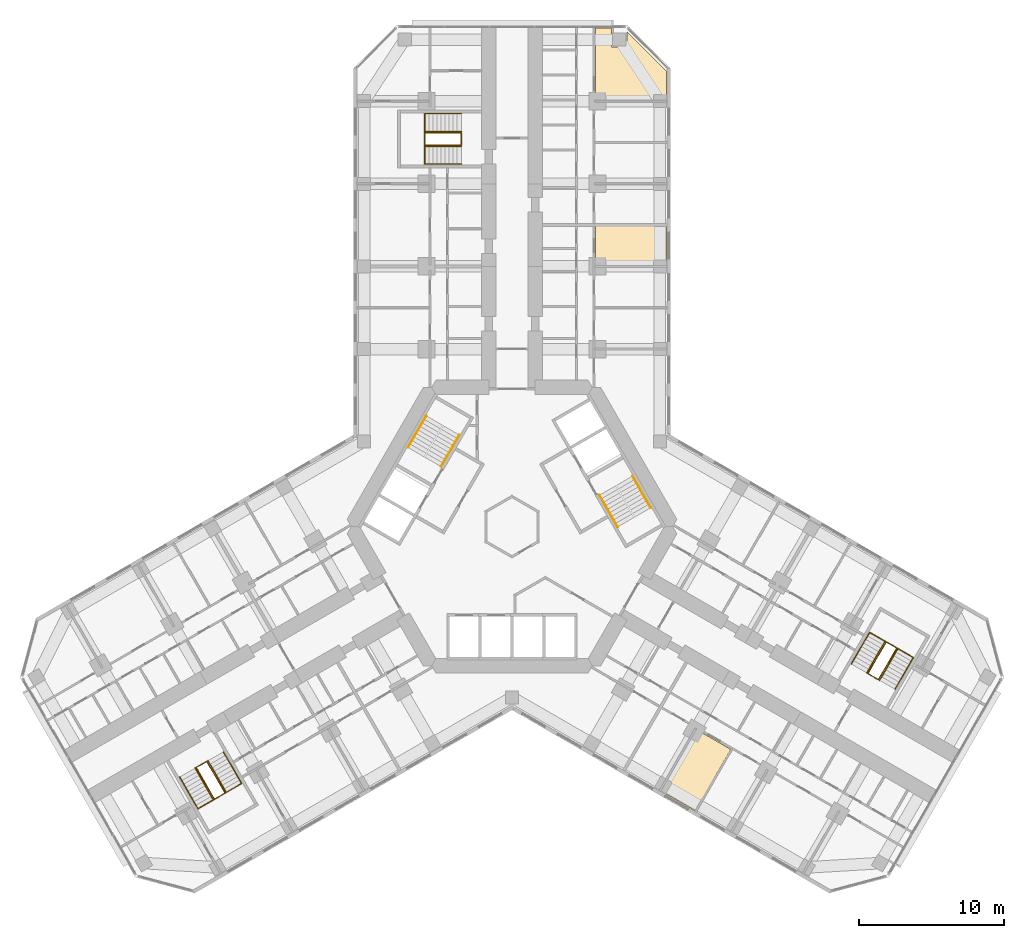
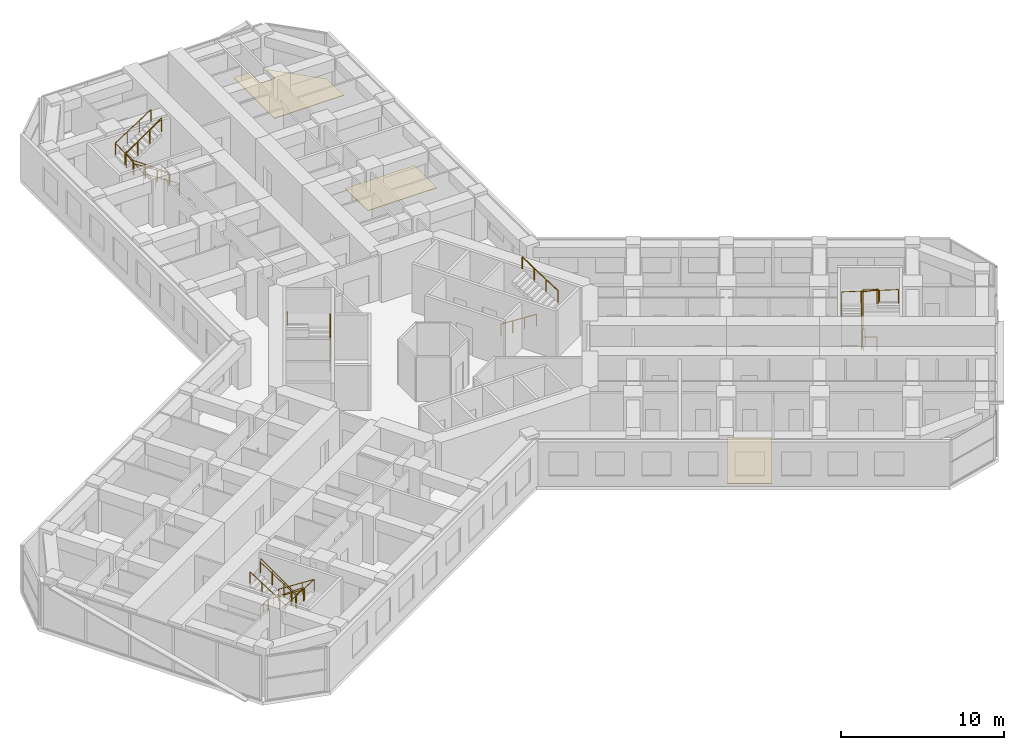
# One storey, part 21 of 21: 13 railings, 3 coverings.
"""IFC4 building model written with IfcOpenShell, lengths in metres."""

import ifcopenshell
import ifcopenshell.guid

model = None  # the IFC model being written
_history = None  # IfcOwnerHistory: only IFC2X3 demands one
_inside = {}  # id of a spatial element -> (the spatial element, [elements in it])
_under = {}  # id of a project, library or spatial element -> (it, [spatial elements below it])
_declared = {}  # id of a project -> (the project, [libraries it declares])
_typed = {}  # id of a type object -> (the type object, [elements of that type])
_made_of = {}  # id of a material, layer set ... -> (it, [elements and type objects made of it])


def new_model(schema):
    """Start an empty IFC model of exactly this schema.

    Asked for "IFC4X3", IfcOpenShell would pick the latest addendum, in which some entities
    have other attributes; the version numbers below select the first issue.
    IFC2X3 requires an IfcOwnerHistory on every rooted entity: one is made here for all.
    """
    global model, _history
    if schema == "IFC4X3":
        model = ifcopenshell.file(schema_version=(4, 3, 0, 0))
    else:
        model = ifcopenshell.file(schema=schema)
    _inside.clear()
    _under.clear()
    _declared.clear()
    _typed.clear()
    _made_of.clear()
    _history = None
    if model.schema == "IFC2X3":
        org = make("IfcOrganization", Name="unknown")
        user = make(
            "IfcPersonAndOrganization",
            ThePerson=make("IfcPerson", FamilyName="unknown"),
            TheOrganization=org,
        )
        app = make(
            "IfcApplication",
            ApplicationDeveloper=org,
            Version="unknown",
            ApplicationFullName="unknown",
            ApplicationIdentifier="unknown",
        )
        _history = make(
            "IfcOwnerHistory",
            OwningUser=user,
            OwningApplication=app,
            ChangeAction="ADDED",
            CreationDate=0,
        )
    return model


def make(cls, **values):
    """One entity of the class cls with the attributes given. An attribute that is None is left unset."""
    return model.create_entity(
        cls, **{name: value for name, value in values.items() if value is not None}
    )


def rooted(cls, **values):
    """An entity with a GlobalId (a new one), such as an element, a storey or a relation."""
    return make(cls, GlobalId=ifcopenshell.guid.new(), OwnerHistory=_history, **values)


def si_unit(unit_type, name, prefix=None):
    """IfcSIUnit, for example si_unit("LENGTHUNIT", "METRE", prefix="MILLI")."""
    return make("IfcSIUnit", UnitType=unit_type, Prefix=prefix, Name=name)


def assignment(units):
    """IfcUnitAssignment: the units of a project."""
    return None if units is None else make("IfcUnitAssignment", Units=units)


def point(xyz):
    """IfcCartesianPoint."""
    return None if xyz is None else make("IfcCartesianPoint", Coordinates=xyz)


def direction(xyz):
    """IfcDirection."""
    return None if xyz is None else make("IfcDirection", DirectionRatios=xyz)


def frame(location, z_axis=None, x_axis=None):
    """IfcAxis2Placement3D, a coordinate frame: its origin and axes. An axis left out is left unset."""
    return make(
        "IfcAxis2Placement3D",
        Location=point(location),
        Axis=direction(z_axis),
        RefDirection=direction(x_axis),
    )


def frame_2d(location, x_axis=None):
    """IfcAxis2Placement2D, a coordinate frame in the plane: its origin and x axis."""
    return make(
        "IfcAxis2Placement2D", Location=point(location), RefDirection=direction(x_axis)
    )


def origin():
    """The frame at (0, 0, 0) with its axes left unset."""
    return frame((0.0, 0.0, 0.0))


def origin_2d():
    """The frame at (0, 0) in the plane with its x axis left unset."""
    return frame_2d((0.0, 0.0))


def place(relative_to, where):
    """IfcLocalPlacement: puts the frame where relative to a parent placement (None: the world)."""
    return make(
        "IfcLocalPlacement", PlacementRelTo=relative_to, RelativePlacement=where
    )


def context(
    kind, dimensions, precision=None, world=None, true_north=None, identifier=None
):
    """IfcGeometricRepresentationContext, for example the 3D "Model" context."""
    return make(
        "IfcGeometricRepresentationContext",
        ContextIdentifier=identifier,
        ContextType=kind,
        CoordinateSpaceDimension=dimensions,
        Precision=precision,
        WorldCoordinateSystem=world,
        TrueNorth=true_north,
    )


def subcontext(parent, identifier, kind, view, scale=None):
    """IfcGeometricRepresentationSubContext, for example "Body" below "Model"."""
    return make(
        "IfcGeometricRepresentationSubContext",
        ContextIdentifier=identifier,
        ContextType=kind,
        ParentContext=parent,
        TargetScale=scale,
        TargetView=view,
    )


def project(units=None, contexts=None):
    """IfcProject with its units and contexts."""
    return rooted(
        "IfcProject",
        Name="project",
        RepresentationContexts=contexts,
        UnitsInContext=assignment(units),
    )


def spatial(cls, under=None, at=None, **own):
    """A site, building, storey or space (cls), placed at a placement, below another one or the project."""
    s = rooted(cls, ObjectPlacement=at, **own)
    if under is not None:
        _under.setdefault(under.id(), (under, []))[1].append(s)
    return s


def polyline(points):
    """IfcPolyline through the points."""
    return make("IfcPolyline", Points=[point(p) for p in points])


def profile(cls, at=None, kind="AREA", **sizes):
    """A parametric profile (cls). Its sizes go by their IFC names, for example OverallWidth=200.0."""
    return make(cls, ProfileType=kind, Position=at, **sizes)


def circle(**sizes):
    """IfcCircleProfileDef."""
    return profile("IfcCircleProfileDef", **sizes)


def outline(outer, holes=None, kind="AREA"):
    """IfcArbitraryClosedProfileDef: a profile drawn as a closed curve; with holes, ...WithVoids."""
    if holes is None:
        return make("IfcArbitraryClosedProfileDef", ProfileType=kind, OuterCurve=outer)
    return make(
        "IfcArbitraryProfileDefWithVoids",
        ProfileType=kind,
        OuterCurve=outer,
        InnerCurves=holes,
    )


def extrude(swept, where, along, depth):
    """IfcExtrudedAreaSolid: the profile swept, set in the frame where, extruded along a direction by depth."""
    return make(
        "IfcExtrudedAreaSolid",
        SweptArea=swept,
        Position=where,
        ExtrudedDirection=direction(along),
        Depth=depth,
    )


def shape(context_of_items, identifier, shape_type, items):
    """IfcShapeRepresentation: the items that make up one representation, for example the "Body"."""
    return make(
        "IfcShapeRepresentation",
        ContextOfItems=context_of_items,
        RepresentationIdentifier=identifier,
        RepresentationType=shape_type,
        Items=items,
    )


def material(Name=None, Category=None):
    """IfcMaterial."""
    return make("IfcMaterial", Name=Name, Category=Category)


def layer(
    of_material, thickness, ventilated=None, Name=None, Category=None, Priority=None
):
    """IfcMaterialLayer: one layer of a wall or slab, of a material (None: an air gap)."""
    return make(
        "IfcMaterialLayer",
        Material=of_material,
        LayerThickness=thickness,
        IsVentilated=ventilated,
        Name=Name,
        Category=Category,
        Priority=Priority,
    )


def layer_set(layers, Name=None):
    """IfcMaterialLayerSet."""
    return make("IfcMaterialLayerSet", MaterialLayers=layers, LayerSetName=Name)


def made_of(thing, what):
    """Note that an element or type object is made of a material, layer set ...; save() writes the relation."""
    if what is not None:
        _made_of.setdefault(what.id(), (what, []))[1].append(thing)
    return thing


def type_object(cls, material=None, **own):
    """A type object (cls), such as IfcWallType, which elements share."""
    return made_of(rooted(cls, **own), material)


def element(
    cls,
    number,
    at=None,
    inside=None,
    cuts=None,
    type_object=None,
    material=None,
    context=None,
    identifier="Body",
    shape_type=None,
    held_by="IfcProductDefinitionShape",
    body=None,
    shapes=None,
    **own,
):
    """One element of the class cls, such as IfcWall. Its Tag is "e" and its number.

    at: its placement. inside: the storey or other place that contains it. cuts: it is an
    opening in that element (IfcRelVoidsElement). A single representation is given by context,
    identifier, shape_type and body (its items); several are given by shapes. held_by: the class
    of the entity that holds the representations. save() writes the other relations.
    """
    e = rooted(cls, Tag="e%d" % number, ObjectPlacement=at, **own)
    if body is not None:
        shapes = [shape(context, identifier, shape_type, body)]
    if shapes is not None:
        e.Representation = make(held_by, Representations=shapes)
    if inside is not None:
        _inside.setdefault(inside.id(), (inside, []))[1].append(e)
    if cuts is not None:
        rooted(
            "IfcRelVoidsElement", RelatingBuildingElement=cuts, RelatedOpeningElement=e
        )
    if type_object is not None:
        _typed.setdefault(type_object.id(), (type_object, []))[1].append(e)
    return made_of(e, material)


def aggregate(whole, parts):
    """IfcRelAggregates: a whole, such as a stair, and the parts it consists of."""
    return rooted("IfcRelAggregates", RelatingObject=whole, RelatedObjects=parts)


def save(model, path):
    """Write the relations noted so far, then the file.

    IfcRelAggregates (storeys below a building ...), IfcRelContainedInSpatialStructure (elements
    in a storey), IfcRelDefinesByType, IfcRelAssociatesMaterial and IfcRelDeclares: one each for
    every whole, place, type object, material and project.
    """
    for whole, parts in _under.values():
        aggregate(whole, parts)
    for where, things in _inside.values():
        rooted(
            "IfcRelContainedInSpatialStructure",
            RelatedElements=things,
            RelatingStructure=where,
        )
    for kind, things in _typed.values():
        rooted("IfcRelDefinesByType", RelatedObjects=things, RelatingType=kind)
    for what, things in _made_of.values():
        rooted("IfcRelAssociatesMaterial", RelatedObjects=things, RelatingMaterial=what)
    for by, libraries in _declared.values():
        rooted("IfcRelDeclares", RelatingContext=by, RelatedDefinitions=libraries)
    model.write(path)


model = new_model("IFC4")

# Units and contexts
model_context = context("Model", 3, precision=1e-05, world=origin(), true_north=direction((0.0, 1.0)))
body_context = subcontext(model_context, "Body", "Model", "MODEL_VIEW")
ifc_project = project(units=[si_unit("LENGTHUNIT", "METRE"), si_unit("AREAUNIT", "SQUARE_METRE"), si_unit("VOLUMEUNIT", "CUBIC_METRE"), si_unit("PLANEANGLEUNIT", "RADIAN"), si_unit("MASSUNIT", "GRAM", prefix="KILO")], contexts=[model_context])

# Site, building, storey
site_placement = place(None, origin())
site = spatial("IfcSite", under=ifc_project, at=site_placement, CompositionType="ELEMENT")
building_placement = place(site_placement, origin())
building = spatial("IfcBuilding", under=site, at=building_placement, Name="Kosmar Iwan School Tower", CompositionType="ELEMENT")
storey_placement = place(building_placement, frame((0.0, 0.0, 80.800048828125)))
storey = spatial("IfcBuildingStorey", under=building, at=storey_placement, Name="L19", CompositionType="ELEMENT", Elevation=80.800048828125)

# Railings
ifc_material_1 = material(Name="Black steel", Category="steel")
railing_type_1 = type_object("IfcRailingType", Name="Stair handrail 900", PredefinedType="HANDRAIL", material=ifc_material_1)
railing_1_placement = place(storey_placement, frame((-4.89453125, 4.142333984375, 0.179931640625)))
element("IfcRailing", 1, at=railing_1_placement, inside=storey, type_object=railing_type_1, Name="Handrail ST2 flight 1", PredefinedType="HANDRAIL", context=body_context, shape_type="SweptSolid", body=[
    extrude(circle(Radius=0.02392578125, at=origin_2d()), frame((0.0, 0.0, 0.8759765625), z_axis=(0.420584145978, 0.728463801763, 0.540785970299), x_axis=(-0.866022637375, 0.500004791531, 0.0)), (0.0, 0.0, 1.0), 2.995849609375),
    extrude(circle(Radius=0.02099609375, at=origin_2d()), origin(), (0.0, 0.0, 1.0), 0.851806640625),
    extrude(circle(Radius=0.02099609375, at=origin_2d()), frame((0.419921875, 0.7275390625, 0.5400390625)), (0.0, 0.0, 1.0), 0.851806640625),
    extrude(circle(Radius=0.02099609375, at=origin_2d()), frame((0.840087890625, 1.454833984375, 1.080078125)), (0.0, 0.0, 1.0), 0.851806640625),
    extrude(circle(Radius=0.02099609375, at=origin_2d()), frame((1.260009765625, 2.182373046875, 1.6201171875)), (0.0, 0.0, 1.0), 0.851806640625),
])
railing_2_placement = place(storey_placement, frame((-5.912353515625, 7.6396484375, 1.97998046875)))
element("IfcRailing", 2, at=railing_2_placement, inside=storey, type_object=railing_type_1, Name="Handrail ST2 flight 2", PredefinedType="HANDRAIL", context=body_context, shape_type="SweptSolid", body=[
    extrude(circle(Radius=0.02392578125, at=origin_2d()), frame((0.0, 0.0, 0.8759765625), z_axis=(-0.42060268101, -0.72849590497, 0.54072830624), x_axis=(0.866022637375, -0.500004791531, 0.0)), (0.0, 0.0, 1.0), 2.99560546875),
    extrude(circle(Radius=0.02099609375, at=origin_2d()), origin(), (0.0, 0.0, 1.0), 0.851806640625),
    extrude(circle(Radius=0.02099609375, at=origin_2d()), frame((-0.419921875, -0.7275390625, 0.5400390625)), (0.0, 0.0, 1.0), 0.851806640625),
    extrude(circle(Radius=0.02099609375, at=origin_2d()), frame((-0.840087890625, -1.454833984375, 1.079833984375)), (0.0, 0.0, 1.0), 0.851806640625),
    extrude(circle(Radius=0.02099609375, at=origin_2d()), frame((-1.260009765625, -2.182373046875, 1.619873046875)), (0.0, 0.0, 1.0), 0.851806640625),
])
railing_3_placement = place(storey_placement, frame((6.03466796875, 2.167724609375, 0.179931640625)))
element("IfcRailing", 3, at=railing_3_placement, inside=storey, type_object=railing_type_1, Name="Handrail ST1 flight 1", PredefinedType="HANDRAIL", context=body_context, shape_type="SweptSolid", body=[
    extrude(circle(Radius=0.02392578125, at=origin_2d()), frame((0.0, 0.0, 0.8759765625), z_axis=(0.420584145978, -0.728463801763, 0.540785970299), x_axis=(0.866022637375, 0.500004791531, 0.0)), (0.0, 0.0, 1.0), 2.995849609375),
    extrude(circle(Radius=0.02099609375, at=origin_2d()), origin(), (0.0, 0.0, 1.0), 0.851806640625),
    extrude(circle(Radius=0.02099609375, at=origin_2d()), frame((0.419921875, -0.7275390625, 0.5400390625)), (0.0, 0.0, 1.0), 0.851806640625),
    extrude(circle(Radius=0.02099609375, at=origin_2d()), frame((0.840087890625, -1.454833984375, 1.080078125)), (0.0, 0.0, 1.0), 0.851806640625),
    extrude(circle(Radius=0.02099609375, at=origin_2d()), frame((1.260009765625, -2.182373046875, 1.6201171875)), (0.0, 0.0, 1.0), 0.851806640625),
])
railing_4_placement = place(storey_placement, frame((9.572265625, 1.30029296875, 1.97998046875)))
element("IfcRailing", 4, at=railing_4_placement, inside=storey, type_object=railing_type_1, Name="Handrail ST1 flight 2", PredefinedType="HANDRAIL", context=body_context, shape_type="SweptSolid", body=[
    extrude(circle(Radius=0.02392578125, at=origin_2d()), frame((0.0, 0.0, 0.8759765625), z_axis=(-0.42060268101, 0.72849590497, 0.54072830624), x_axis=(-0.866022637375, -0.500004791531, 0.0)), (0.0, 0.0, 1.0), 2.99560546875),
    extrude(circle(Radius=0.02099609375, at=origin_2d()), origin(), (0.0, 0.0, 1.0), 0.851806640625),
    extrude(circle(Radius=0.02099609375, at=origin_2d()), frame((-0.419921875, 0.7275390625, 0.5400390625)), (0.0, 0.0, 1.0), 0.851806640625),
    extrude(circle(Radius=0.02099609375, at=origin_2d()), frame((-0.840087890625, 1.454833984375, 1.079833984375)), (0.0, 0.0, 1.0), 0.851806640625),
    extrude(circle(Radius=0.02099609375, at=origin_2d()), frame((-1.260009765625, 2.182373046875, 1.619873046875)), (0.0, 0.0, 1.0), 0.851806640625),
])
railing_5_placement = place(storey_placement, frame((-3.5, 25.010009765625, 0.179931640625)))
element("IfcRailing", 5, at=railing_5_placement, inside=storey, type_object=railing_type_1, Name="Handrail stair WS1 L19 wall side", PredefinedType="HANDRAIL", context=body_context, shape_type="SweptSolid", body=[
    extrude(circle(Radius=0.02392578125, at=origin_2d()), frame((0.0, 0.0, 0.8759765625), z_axis=(-0.841162588446, 0.0, 0.540782303519), x_axis=(0.0, -1.0, 0.0)), (0.0, 0.0, 1.0), 2.995849609375),
    extrude(circle(Radius=0.02392578125, at=origin_2d()), frame((-2.52001953125, 0.0, 2.49609375), z_axis=(0.0, 0.998665981786, 0.051635809497), x_axis=(-1.0, 0.0, 0.0)), (0.0, 0.0, 1.0), 3.484619140625),
    extrude(circle(Radius=0.02392578125, at=origin_2d()), frame((-2.52001953125, 3.47998046875, 2.67578125), z_axis=(0.841199657755, 0.0, 0.540724639528), x_axis=(0.0, 1.0, 0.0)), (0.0, 0.0, 1.0), 2.995849609375),
    extrude(circle(Radius=0.02099609375, at=origin_2d()), origin(), (0.0, 0.0, 1.0), 0.851806640625),
    extrude(circle(Radius=0.02099609375, at=origin_2d()), frame((-0.840087890625, 0.0, 0.5400390625)), (0.0, 0.0, 1.0), 0.851806640625),
    extrude(circle(Radius=0.02099609375, at=origin_2d()), frame((-1.679931640625, 0.0, 1.080078125)), (0.0, 0.0, 1.0), 0.851806640625),
    extrude(circle(Radius=0.02099609375, at=origin_2d()), frame((-2.52001953125, 0.0, 1.6201171875)), (0.0, 0.0, 1.0), 0.851806640625),
    extrude(circle(Radius=0.02099609375, at=origin_2d()), frame((-2.52001953125, 1.159912109375, 1.68017578125)), (0.0, 0.0, 1.0), 0.851806640625),
    extrude(circle(Radius=0.02099609375, at=origin_2d()), frame((-2.52001953125, 2.320068359375, 1.739990234375)), (0.0, 0.0, 1.0), 0.851806640625),
    extrude(circle(Radius=0.02099609375, at=origin_2d()), frame((-2.52001953125, 3.47998046875, 1.800048828125)), (0.0, 0.0, 1.0), 0.851806640625),
    extrude(circle(Radius=0.02099609375, at=origin_2d()), frame((-1.679931640625, 3.47998046875, 2.340087890625)), (0.0, 0.0, 1.0), 0.851806640625),
    extrude(circle(Radius=0.02099609375, at=origin_2d()), frame((-0.840087890625, 3.47998046875, 2.8798828125)), (0.0, 0.0, 1.0), 0.851806640625),
    extrude(circle(Radius=0.02099609375, at=origin_2d()), frame((0.0, 3.47998046875, 3.419921875)), (0.0, 0.0, 1.0), 0.851806640625),
])
railing_6_placement = place(storey_placement, frame((-3.5, 26.239990234375, 0.179931640625)))
element("IfcRailing", 6, at=railing_6_placement, inside=storey, type_object=railing_type_1, Name="Handrail stair WS1 L19 well side", PredefinedType="HANDRAIL", context=body_context, shape_type="SweptSolid", body=[
    extrude(circle(Radius=0.02392578125, at=origin_2d()), frame((0.0, 0.0, 0.8759765625), z_axis=(-0.841162588446, 0.0, 0.540782303519), x_axis=(0.0, -1.0, 0.0)), (0.0, 0.0, 1.0), 2.995849609375),
    extrude(circle(Radius=0.02392578125, at=origin_2d()), frame((-2.52001953125, 0.0, 2.49609375), z_axis=(0.0, 0.984795421109, 0.173718100851), x_axis=(-1.0, 0.0, 0.0)), (0.0, 0.0, 1.0), 1.035888671875),
    extrude(circle(Radius=0.02392578125, at=origin_2d()), frame((-2.52001953125, 1.02001953125, 2.67578125), z_axis=(0.841199657755, 0.0, 0.540724639528), x_axis=(0.0, 1.0, 0.0)), (0.0, 0.0, 1.0), 2.995849609375),
    extrude(circle(Radius=0.02099609375, at=origin_2d()), origin(), (0.0, 0.0, 1.0), 0.851806640625),
    extrude(circle(Radius=0.02099609375, at=origin_2d()), frame((-0.840087890625, 0.0, 0.5400390625)), (0.0, 0.0, 1.0), 0.851806640625),
    extrude(circle(Radius=0.02099609375, at=origin_2d()), frame((-1.679931640625, 0.0, 1.080078125)), (0.0, 0.0, 1.0), 0.851806640625),
    extrude(circle(Radius=0.02099609375, at=origin_2d()), frame((-2.52001953125, 0.0, 1.6201171875)), (0.0, 0.0, 1.0), 0.851806640625),
    extrude(circle(Radius=0.02099609375, at=origin_2d()), frame((-2.52001953125, 1.02001953125, 1.800048828125)), (0.0, 0.0, 1.0), 0.851806640625),
    extrude(circle(Radius=0.02099609375, at=origin_2d()), frame((-1.679931640625, 1.02001953125, 2.340087890625)), (0.0, 0.0, 1.0), 0.851806640625),
    extrude(circle(Radius=0.02099609375, at=origin_2d()), frame((-0.840087890625, 1.02001953125, 2.8798828125)), (0.0, 0.0, 1.0), 0.851806640625),
    extrude(circle(Radius=0.02099609375, at=origin_2d()), frame((0.0, 1.02001953125, 3.419921875)), (0.0, 0.0, 1.0), 0.851806640625),
])
railing_7_placement = place(storey_placement, frame((-19.9091796875, -15.5361328125, 0.179931640625)))
element("IfcRailing", 7, at=railing_7_placement, inside=storey, type_object=railing_type_1, Name="Handrail stair WS2 L19 wall side", PredefinedType="HANDRAIL", context=body_context, shape_type="SweptSolid", body=[
    extrude(circle(Radius=0.02392578125, at=origin_2d()), frame((0.0, 0.0, 0.8759765625), z_axis=(0.420517065106, -0.728488768407, 0.540804504659), x_axis=(0.866064587494, 0.499932125682, 0.0)), (0.0, 0.0, 1.0), 2.995849609375),
    extrude(circle(Radius=0.02392578125, at=origin_2d()), frame((1.259765625, -2.182373046875, 2.49609375), z_axis=(-0.864864352349, -0.499342858003, 0.051636829851), x_axis=(0.500009906705, -0.86601968407, 0.0)), (0.0, 0.0, 1.0), 3.484619140625),
    extrude(circle(Radius=0.02392578125, at=origin_2d()), frame((-1.75390625, -3.92236328125, 2.67578125), z_axis=(-0.42060268101, 0.72849590497, 0.54072830624), x_axis=(-0.866022637375, -0.500004791531, 0.0)), (0.0, 0.0, 1.0), 2.99560546875),
    extrude(circle(Radius=0.02099609375, at=origin_2d()), origin(), (0.0, 0.0, 1.0), 0.851806640625),
    extrude(circle(Radius=0.02099609375, at=origin_2d()), frame((0.419921875, -0.7275390625, 0.5400390625)), (0.0, 0.0, 1.0), 0.851806640625),
    extrude(circle(Radius=0.02099609375, at=origin_2d()), frame((0.83984375, -1.454833984375, 1.080078125)), (0.0, 0.0, 1.0), 0.851806640625),
    extrude(circle(Radius=0.02099609375, at=origin_2d()), frame((1.259765625, -2.182373046875, 1.6201171875)), (0.0, 0.0, 1.0), 0.851806640625),
    extrude(circle(Radius=0.02099609375, at=origin_2d()), frame((0.255126953125, -2.762451171875, 1.68017578125)), (0.0, 0.0, 1.0), 0.851806640625),
    extrude(circle(Radius=0.02099609375, at=origin_2d()), frame((-0.749267578125, -3.34228515625, 1.739990234375)), (0.0, 0.0, 1.0), 0.851806640625),
    extrude(circle(Radius=0.02099609375, at=origin_2d()), frame((-1.75390625, -3.92236328125, 1.800048828125)), (0.0, 0.0, 1.0), 0.851806640625),
    extrude(circle(Radius=0.02099609375, at=origin_2d()), frame((-2.173828125, -3.19482421875, 2.340087890625)), (0.0, 0.0, 1.0), 0.851806640625),
    extrude(circle(Radius=0.02099609375, at=origin_2d()), frame((-2.593994140625, -2.467529296875, 2.8798828125)), (0.0, 0.0, 1.0), 0.851806640625),
    extrude(circle(Radius=0.02099609375, at=origin_2d()), frame((-3.013916015625, -1.739990234375, 3.419921875)), (0.0, 0.0, 1.0), 0.851806640625),
])
railing_8_placement = place(storey_placement, frame((-20.974609375, -16.151123046875, 0.179931640625)))
element("IfcRailing", 8, at=railing_8_placement, inside=storey, type_object=railing_type_1, Name="Handrail stair WS2 L19 well side", PredefinedType="HANDRAIL", context=body_context, shape_type="SweptSolid", body=[
    extrude(circle(Radius=0.02392578125, at=origin_2d()), frame((0.0, 0.0, 0.8759765625), z_axis=(0.420584145978, -0.728463801763, 0.540785970299), x_axis=(0.866022637375, 0.500004791531, 0.0)), (0.0, 0.0, 1.0), 2.995849609375),
    extrude(circle(Radius=0.02392578125, at=origin_2d()), frame((1.260009765625, -2.182373046875, 2.49609375), z_axis=(-0.852841519511, -0.492422867401, 0.173726976197), x_axis=(0.500026340207, -0.866010195725, 0.0)), (0.0, 0.0, 1.0), 1.03564453125),
    extrude(circle(Radius=0.02392578125, at=origin_2d()), frame((0.376708984375, -2.6923828125, 2.67578125), z_axis=(-0.42060268101, 0.72849590497, 0.54072830624), x_axis=(-0.866022637375, -0.500004791531, 0.0)), (0.0, 0.0, 1.0), 2.99560546875),
    extrude(circle(Radius=0.02099609375, at=origin_2d()), origin(), (0.0, 0.0, 1.0), 0.851806640625),
    extrude(circle(Radius=0.02099609375, at=origin_2d()), frame((0.419921875, -0.7275390625, 0.5400390625)), (0.0, 0.0, 1.0), 0.851806640625),
    extrude(circle(Radius=0.02099609375, at=origin_2d()), frame((0.840087890625, -1.454833984375, 1.080078125)), (0.0, 0.0, 1.0), 0.851806640625),
    extrude(circle(Radius=0.02099609375, at=origin_2d()), frame((1.260009765625, -2.182373046875, 1.6201171875)), (0.0, 0.0, 1.0), 0.851806640625),
    extrude(circle(Radius=0.02099609375, at=origin_2d()), frame((0.376708984375, -2.6923828125, 1.800048828125)), (0.0, 0.0, 1.0), 0.851806640625),
    extrude(circle(Radius=0.02099609375, at=origin_2d()), frame((-0.043212890625, -1.96484375, 2.340087890625)), (0.0, 0.0, 1.0), 0.851806640625),
    extrude(circle(Radius=0.02099609375, at=origin_2d()), frame((-0.46337890625, -1.237548828125, 2.8798828125)), (0.0, 0.0, 1.0), 0.851806640625),
    extrude(circle(Radius=0.02099609375, at=origin_2d()), frame((-0.88330078125, -0.510009765625, 3.419921875)), (0.0, 0.0, 1.0), 0.851806640625),
])
railing_9_placement = place(storey_placement, frame((23.4091796875, -9.473876953125, 0.179931640625)))
element("IfcRailing", 9, at=railing_9_placement, inside=storey, type_object=railing_type_1, Name="Handrail stair WS3 L19 wall side", PredefinedType="HANDRAIL", context=body_context, shape_type="SweptSolid", body=[
    extrude(circle(Radius=0.02392578125, at=origin_2d()), frame((0.0, 0.0, 0.8759765625), z_axis=(0.420584145978, 0.728463801763, 0.540785970299), x_axis=(-0.866022637375, 0.500004791531, 0.0)), (0.0, 0.0, 1.0), 2.995849609375),
    extrude(circle(Radius=0.02392578125, at=origin_2d()), frame((1.260009765625, 2.182373046875, 2.49609375), z_axis=(0.864882007433, -0.499312601618, 0.051633701051), x_axis=(0.499979528911, 0.866037222451, 0.0)), (0.0, 0.0, 1.0), 3.48486328125),
    extrude(circle(Radius=0.02392578125, at=origin_2d()), frame((4.27392578125, 0.4423828125, 2.67578125), z_axis=(-0.42060268101, -0.72849590497, 0.54072830624), x_axis=(0.866022637375, -0.500004791531, 0.0)), (0.0, 0.0, 1.0), 2.99560546875),
    extrude(circle(Radius=0.02099609375, at=origin_2d()), origin(), (0.0, 0.0, 1.0), 0.851806640625),
    extrude(circle(Radius=0.02099609375, at=origin_2d()), frame((0.419921875, 0.7275390625, 0.5400390625)), (0.0, 0.0, 1.0), 0.851806640625),
    extrude(circle(Radius=0.02099609375, at=origin_2d()), frame((0.840087890625, 1.454833984375, 1.080078125)), (0.0, 0.0, 1.0), 0.851806640625),
    extrude(circle(Radius=0.02099609375, at=origin_2d()), frame((1.260009765625, 2.182373046875, 1.6201171875)), (0.0, 0.0, 1.0), 0.851806640625),
    extrude(circle(Radius=0.02099609375, at=origin_2d()), frame((2.2646484375, 1.602294921875, 1.68017578125)), (0.0, 0.0, 1.0), 0.851806640625),
    extrude(circle(Radius=0.02099609375, at=origin_2d()), frame((3.269287109375, 1.0224609375, 1.739990234375)), (0.0, 0.0, 1.0), 0.851806640625),
    extrude(circle(Radius=0.02099609375, at=origin_2d()), frame((4.27392578125, 0.4423828125, 1.800048828125)), (0.0, 0.0, 1.0), 0.851806640625),
    extrude(circle(Radius=0.02099609375, at=origin_2d()), frame((3.85400390625, -0.28515625, 2.340087890625)), (0.0, 0.0, 1.0), 0.851806640625),
    extrude(circle(Radius=0.02099609375, at=origin_2d()), frame((3.433837890625, -1.012451171875, 2.8798828125)), (0.0, 0.0, 1.0), 0.851806640625),
    extrude(circle(Radius=0.02099609375, at=origin_2d()), frame((3.013916015625, -1.739990234375, 3.419921875)), (0.0, 0.0, 1.0), 0.851806640625),
])
railing_10_placement = place(storey_placement, frame((24.474609375, -10.0888671875, 0.179931640625)))
element("IfcRailing", 10, at=railing_10_placement, inside=storey, type_object=railing_type_1, Name="Handrail stair WS3 L19 well side", PredefinedType="HANDRAIL", context=body_context, shape_type="SweptSolid", body=[
    extrude(circle(Radius=0.02392578125, at=origin_2d()), frame((0.0, 0.0, 0.8759765625), z_axis=(0.420584145978, 0.728463801763, 0.540785970299), x_axis=(-0.866022637375, 0.500004791531, 0.0)), (0.0, 0.0, 1.0), 2.995849609375),
    extrude(circle(Radius=0.02392578125, at=origin_2d()), frame((1.260009765625, 2.182373046875, 2.49609375), z_axis=(0.852841519511, -0.492422867401, 0.173726976197), x_axis=(0.500026340207, 0.866010195725, 0.0)), (0.0, 0.0, 1.0), 1.03564453125),
    extrude(circle(Radius=0.02392578125, at=origin_2d()), frame((2.143310546875, 1.67236328125, 2.67578125), z_axis=(-0.42060268101, -0.72849590497, 0.54072830624), x_axis=(0.866022637375, -0.500004791531, 0.0)), (0.0, 0.0, 1.0), 2.99560546875),
    extrude(circle(Radius=0.02099609375, at=origin_2d()), origin(), (0.0, 0.0, 1.0), 0.851806640625),
    extrude(circle(Radius=0.02099609375, at=origin_2d()), frame((0.419921875, 0.7275390625, 0.5400390625)), (0.0, 0.0, 1.0), 0.851806640625),
    extrude(circle(Radius=0.02099609375, at=origin_2d()), frame((0.840087890625, 1.454833984375, 1.080078125)), (0.0, 0.0, 1.0), 0.851806640625),
    extrude(circle(Radius=0.02099609375, at=origin_2d()), frame((1.260009765625, 2.182373046875, 1.6201171875)), (0.0, 0.0, 1.0), 0.851806640625),
    extrude(circle(Radius=0.02099609375, at=origin_2d()), frame((2.143310546875, 1.67236328125, 1.800048828125)), (0.0, 0.0, 1.0), 0.851806640625),
    extrude(circle(Radius=0.02099609375, at=origin_2d()), frame((1.723388671875, 0.94482421875, 2.340087890625)), (0.0, 0.0, 1.0), 0.851806640625),
    extrude(circle(Radius=0.02099609375, at=origin_2d()), frame((1.30322265625, 0.217529296875, 2.8798828125)), (0.0, 0.0, 1.0), 0.851806640625),
    extrude(circle(Radius=0.02099609375, at=origin_2d()), frame((0.88330078125, -0.510009765625, 3.419921875)), (0.0, 0.0, 1.0), 0.851806640625),
])
ifc_material_2 = material(Name="Black steel", Category="steel")
railing_type_2 = type_object("IfcRailingType", Name="Stair well guard 1100", PredefinedType="GUARDRAIL", material=ifc_material_2)
railing_11_placement = place(storey_placement, frame((-3.5, 27.169921875, 0.0)))
element("IfcRailing", 11, at=railing_11_placement, inside=storey, type_object=railing_type_2, Name="Stair WS1 L19 well guard", PredefinedType="GUARDRAIL", context=body_context, shape_type="SweptSolid", body=[
    extrude(circle(Radius=0.02392578125, at=origin_2d()), frame((0.0, 0.0, 1.076171875), z_axis=(0.0, -1.0, 0.0), x_axis=(1.0, 0.0, 0.0)), (0.0, 0.0, 1.0), 0.83984375),
    extrude(circle(Radius=0.02392578125, at=origin_2d()), frame((0.0, -0.83984375, 1.076171875), z_axis=(-0.813728144527, 0.0, 0.581245650998), x_axis=(0.0, -1.0, 0.0)), (0.0, 0.0, 1.0), 3.096923828125),
    extrude(circle(Radius=0.02392578125, at=origin_2d()), frame((-2.52001953125, -0.83984375, 2.8759765625), z_axis=(0.0, 1.0, 0.0), x_axis=(-1.0, 0.0, 0.0)), (0.0, 0.0, 1.0), 0.83984375),
    extrude(circle(Radius=0.02392578125, at=origin_2d()), frame((-2.52001953125, 0.0, 2.8759765625), z_axis=(0.813765431312, 0.0, 0.581193446971), x_axis=(0.0, 1.0, 0.0)), (0.0, 0.0, 1.0), 3.0966796875),
    extrude(circle(Radius=0.02099609375, at=origin_2d()), origin(), (0.0, 0.0, 1.0), 1.052001953125),
    extrude(circle(Radius=0.02099609375, at=origin_2d()), frame((0.0, -0.83984375, 0.0)), (0.0, 0.0, 1.0), 1.052001953125),
    extrude(circle(Radius=0.02099609375, at=origin_2d()), frame((-0.840087890625, -0.83984375, 0.60009765625)), (0.0, 0.0, 1.0), 1.052001953125),
    extrude(circle(Radius=0.02099609375, at=origin_2d()), frame((-1.679931640625, -0.83984375, 1.199951171875)), (0.0, 0.0, 1.0), 1.052001953125),
    extrude(circle(Radius=0.02099609375, at=origin_2d()), frame((-2.52001953125, -0.83984375, 1.800048828125)), (0.0, 0.0, 1.0), 1.052001953125),
    extrude(circle(Radius=0.02099609375, at=origin_2d()), frame((-2.52001953125, 0.0, 1.800048828125)), (0.0, 0.0, 1.0), 1.052001953125),
    extrude(circle(Radius=0.02099609375, at=origin_2d()), frame((-1.679931640625, 0.0, 2.39990234375)), (0.0, 0.0, 1.0), 1.052001953125),
    extrude(circle(Radius=0.02099609375, at=origin_2d()), frame((-0.840087890625, 0.0, 3.0)), (0.0, 0.0, 1.0), 1.052001953125),
    extrude(circle(Radius=0.02099609375, at=origin_2d()), frame((0.0, 0.0, 3.599853515625)), (0.0, 0.0, 1.0), 1.052001953125),
])
railing_12_placement = place(storey_placement, frame((-21.780029296875, -16.6162109375, 0.0)))
element("IfcRailing", 12, at=railing_12_placement, inside=storey, type_object=railing_type_2, Name="Stair WS2 L19 well guard", PredefinedType="GUARDRAIL", context=body_context, shape_type="SweptSolid", body=[
    extrude(circle(Radius=0.02392578125, at=origin_2d()), frame((0.0, 0.0, 1.076171875), z_axis=(0.865962960534, 0.500108139288, 0.0), x_axis=(-0.500108139288, 0.865962960534, 0.0)), (0.0, 0.0, 1.0), 0.840087890625),
    extrude(circle(Radius=0.02392578125, at=origin_2d()), frame((0.7275390625, 0.420166015625, 1.076171875), z_axis=(0.40686665399, -0.704704712268, 0.58124933925), x_axis=(0.866022637375, 0.500004791531, 0.0)), (0.0, 0.0, 1.0), 3.096923828125),
    extrude(circle(Radius=0.02392578125, at=origin_2d()), frame((1.987548828125, -1.76220703125, 2.8759765625), z_axis=(-0.865962960534, -0.500108139288, 0.0), x_axis=(0.500108139288, -0.865962960534, 0.0)), (0.0, 0.0, 1.0), 0.840087890625),
    extrude(circle(Radius=0.02392578125, at=origin_2d()), frame((1.260009765625, -2.182373046875, 2.8759765625), z_axis=(-0.406885297737, 0.704737003773, 0.581197135229), x_axis=(-0.866022637375, -0.500004791531, 0.0)), (0.0, 0.0, 1.0), 3.0966796875),
    extrude(circle(Radius=0.02099609375, at=origin_2d()), origin(), (0.0, 0.0, 1.0), 1.052001953125),
    extrude(circle(Radius=0.02099609375, at=origin_2d()), frame((0.7275390625, 0.420166015625, 0.0)), (0.0, 0.0, 1.0), 1.052001953125),
    extrude(circle(Radius=0.02099609375, at=origin_2d()), frame((1.1474609375, -0.307373046875, 0.60009765625)), (0.0, 0.0, 1.0), 1.052001953125),
    extrude(circle(Radius=0.02099609375, at=origin_2d()), frame((1.567626953125, -1.03466796875, 1.199951171875)), (0.0, 0.0, 1.0), 1.052001953125),
    extrude(circle(Radius=0.02099609375, at=origin_2d()), frame((1.987548828125, -1.76220703125, 1.800048828125)), (0.0, 0.0, 1.0), 1.052001953125),
    extrude(circle(Radius=0.02099609375, at=origin_2d()), frame((1.260009765625, -2.182373046875, 1.800048828125)), (0.0, 0.0, 1.0), 1.052001953125),
    extrude(circle(Radius=0.02099609375, at=origin_2d()), frame((0.840087890625, -1.454833984375, 2.39990234375)), (0.0, 0.0, 1.0), 1.052001953125),
    extrude(circle(Radius=0.02099609375, at=origin_2d()), frame((0.419921875, -0.7275390625, 3.0)), (0.0, 0.0, 1.0), 1.052001953125),
    extrude(circle(Radius=0.02099609375, at=origin_2d()), frame((0.0, 0.0, 3.599853515625)), (0.0, 0.0, 1.0), 1.052001953125),
])
railing_13_placement = place(storey_placement, frame((25.280029296875, -10.553955078125, 0.0)))
element("IfcRailing", 13, at=railing_13_placement, inside=storey, type_object=railing_type_2, Name="Stair WS3 L19 well guard", PredefinedType="GUARDRAIL", context=body_context, shape_type="SweptSolid", body=[
    extrude(circle(Radius=0.02392578125, at=origin_2d()), frame((0.0, 0.0, 1.076171875), z_axis=(-0.865962960534, 0.500108139288, 0.0), x_axis=(-0.500108139288, -0.865962960534, 0.0)), (0.0, 0.0, 1.0), 0.840087890625),
    extrude(circle(Radius=0.02392578125, at=origin_2d()), frame((-0.7275390625, 0.420166015625, 1.076171875), z_axis=(0.40686665399, 0.704704712268, 0.58124933925), x_axis=(-0.866022637375, 0.500004791531, 0.0)), (0.0, 0.0, 1.0), 3.096923828125),
    extrude(circle(Radius=0.02392578125, at=origin_2d()), frame((0.532470703125, 2.6025390625, 2.8759765625), z_axis=(0.865890253765, -0.500234013672, 0.0), x_axis=(0.500234013672, 0.865890253765, 0.0)), (0.0, 0.0, 1.0), 0.83984375),
    extrude(circle(Radius=0.02392578125, at=origin_2d()), frame((1.259765625, 2.182373046875, 2.8759765625), z_axis=(-0.406819508263, -0.704759609372, 0.581215778084), x_axis=(0.866064587494, -0.499932125682, 0.0)), (0.0, 0.0, 1.0), 3.0966796875),
    extrude(circle(Radius=0.02099609375, at=origin_2d()), origin(), (0.0, 0.0, 1.0), 1.052001953125),
    extrude(circle(Radius=0.02099609375, at=origin_2d()), frame((-0.7275390625, 0.420166015625, 0.0)), (0.0, 0.0, 1.0), 1.052001953125),
    extrude(circle(Radius=0.02099609375, at=origin_2d()), frame((-0.3076171875, 1.147705078125, 0.60009765625)), (0.0, 0.0, 1.0), 1.052001953125),
    extrude(circle(Radius=0.02099609375, at=origin_2d()), frame((0.112548828125, 1.875, 1.199951171875)), (0.0, 0.0, 1.0), 1.052001953125),
    extrude(circle(Radius=0.02099609375, at=origin_2d()), frame((0.532470703125, 2.6025390625, 1.800048828125)), (0.0, 0.0, 1.0), 1.052001953125),
    extrude(circle(Radius=0.02099609375, at=origin_2d()), frame((1.259765625, 2.182373046875, 1.800048828125)), (0.0, 0.0, 1.0), 1.052001953125),
    extrude(circle(Radius=0.02099609375, at=origin_2d()), frame((0.83984375, 1.454833984375, 2.39990234375)), (0.0, 0.0, 1.0), 1.052001953125),
    extrude(circle(Radius=0.02099609375, at=origin_2d()), frame((0.419921875, 0.7275390625, 3.0)), (0.0, 0.0, 1.0), 1.052001953125),
    extrude(circle(Radius=0.02099609375, at=origin_2d()), frame((0.0, 0.0, 3.599853515625)), (0.0, 0.0, 1.0), 1.052001953125),
])

# Coverings
ifc_material_3 = material(Name="Honed limestone on mortar bed", Category="masonry")
ifc_layer = layer(ifc_material_3, 0.0400390625)
ifc_layer_set = layer_set([ifc_layer], Name="Winter garden stone flooring 40")
covering_type = type_object("IfcCoveringType", Name="Winter garden stone flooring 40", PredefinedType="FLOORING", material=ifc_layer_set)
covering_1_placement = place(storey_placement, origin())
element("IfcCovering", 14, at=covering_1_placement, inside=storey, type_object=covering_type, Name="Winter garden flooring L19-AR1-F4", PredefinedType="FLOORING", context=body_context, shape_type="SweptSolid", body=[
    extrude(outline(polyline([(5.760009765625, 18.0), (10.64990234375, 18.0), (10.64990234375, 20.75), (5.760009765625, 20.75), (5.760009765625, 18.0)])), origin(), (0.0, 0.0, 1.0), 0.0400390625),
])
covering_2_placement = place(storey_placement, origin())
element("IfcCovering", 15, at=covering_2_placement, inside=storey, type_object=covering_type, Name="Winter garden flooring L19-AR2-F4", PredefinedType="FLOORING", context=body_context, shape_type="SweptSolid", body=[
    extrude(outline(polyline([(5.760009765625, 29.39990234375), (10.64990234375, 29.39990234375), (10.64990234375, 31.42919921875), (7.919921875, 34.1591796875), (7.919921875, 33.080078125), (6.8798828125, 33.080078125), (6.8798828125, 34.39990234375), (5.760009765625, 34.39990234375), (5.760009765625, 29.39990234375)])), origin(), (0.0, 0.0, 1.0), 0.0400390625),
])
covering_3_placement = place(storey_placement, origin())
element("IfcCovering", 16, at=covering_3_placement, inside=storey, type_object=covering_type, Name="Winter garden flooring L19-CR2-F2", PredefinedType="FLOORING", context=body_context, shape_type="SweptSolid", body=[
    extrude(outline(polyline([(12.64501953125, -19.59814453125), (15.090087890625, -15.36328125), (12.70849609375, -13.98828125), (10.263427734375, -18.22314453125), (12.64501953125, -19.59814453125)])), origin(), (0.0, 0.0, 1.0), 0.0400390625),
])

save(model, "model.ifc")
